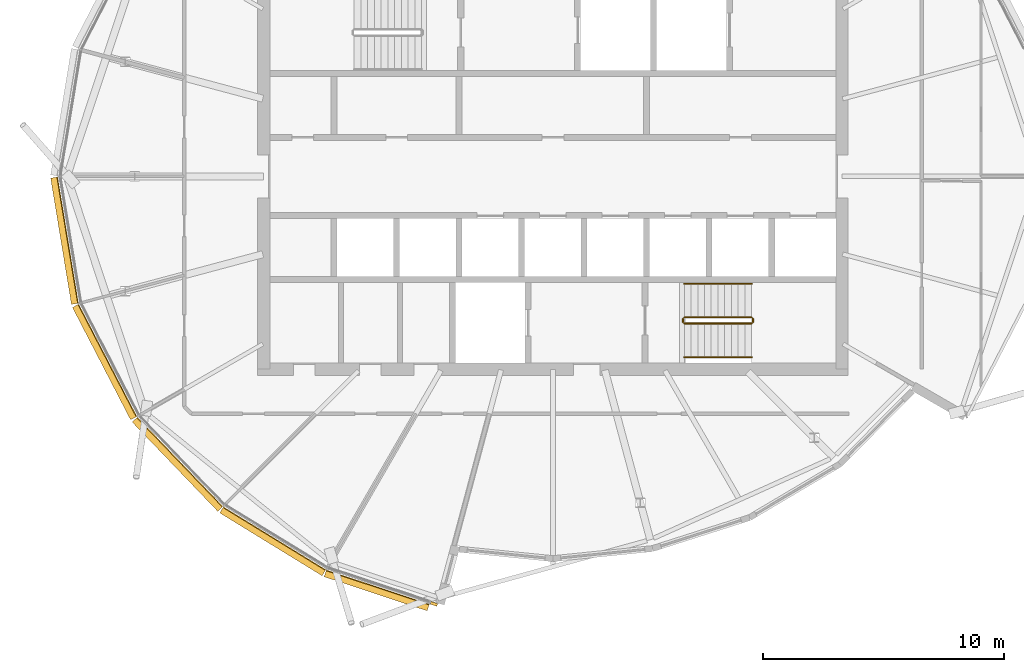
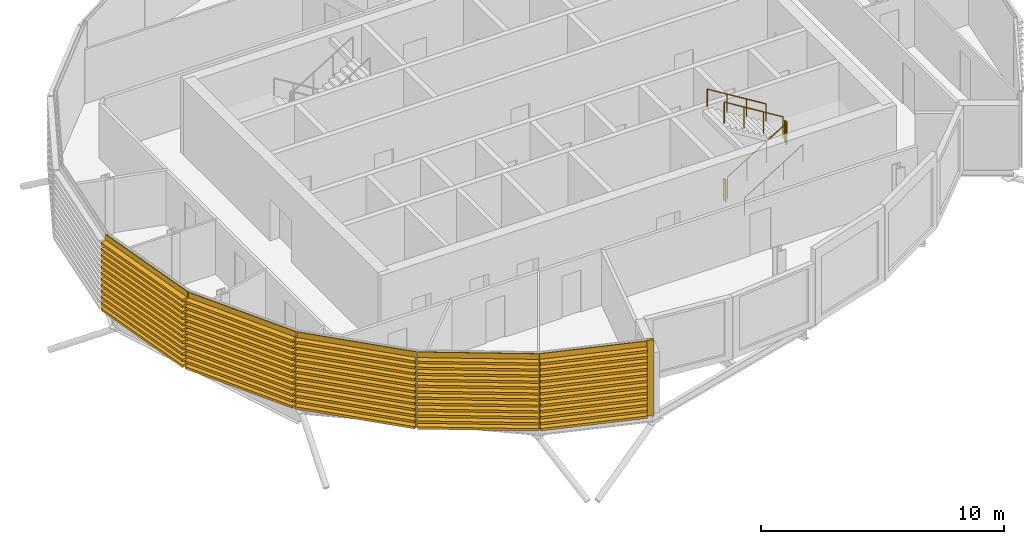
# One storey, part 29 of 33: 6 coverings, 6 railings.
"""IFC4 building model written with IfcOpenShell, lengths in metres."""

import ifcopenshell
import ifcopenshell.guid

model = None  # the IFC model being written
_history = None  # IfcOwnerHistory: only IFC2X3 demands one
_inside = {}  # id of a spatial element -> (the spatial element, [elements in it])
_under = {}  # id of a project, library or spatial element -> (it, [spatial elements below it])
_declared = {}  # id of a project -> (the project, [libraries it declares])
_typed = {}  # id of a type object -> (the type object, [elements of that type])
_made_of = {}  # id of a material, layer set ... -> (it, [elements and type objects made of it])


def new_model(schema):
    """Start an empty IFC model of exactly this schema.

    Asked for "IFC4X3", IfcOpenShell would pick the latest addendum, in which some entities
    have other attributes; the version numbers below select the first issue.
    IFC2X3 requires an IfcOwnerHistory on every rooted entity: one is made here for all.
    """
    global model, _history
    if schema == "IFC4X3":
        model = ifcopenshell.file(schema_version=(4, 3, 0, 0))
    else:
        model = ifcopenshell.file(schema=schema)
    _inside.clear()
    _under.clear()
    _declared.clear()
    _typed.clear()
    _made_of.clear()
    _history = None
    if model.schema == "IFC2X3":
        org = make("IfcOrganization", Name="unknown")
        user = make(
            "IfcPersonAndOrganization",
            ThePerson=make("IfcPerson", FamilyName="unknown"),
            TheOrganization=org,
        )
        app = make(
            "IfcApplication",
            ApplicationDeveloper=org,
            Version="unknown",
            ApplicationFullName="unknown",
            ApplicationIdentifier="unknown",
        )
        _history = make(
            "IfcOwnerHistory",
            OwningUser=user,
            OwningApplication=app,
            ChangeAction="ADDED",
            CreationDate=0,
        )
    return model


def make(cls, **values):
    """One entity of the class cls with the attributes given. An attribute that is None is left unset."""
    return model.create_entity(
        cls, **{name: value for name, value in values.items() if value is not None}
    )


def rooted(cls, **values):
    """An entity with a GlobalId (a new one), such as an element, a storey or a relation."""
    return make(cls, GlobalId=ifcopenshell.guid.new(), OwnerHistory=_history, **values)


def si_unit(unit_type, name, prefix=None):
    """IfcSIUnit, for example si_unit("LENGTHUNIT", "METRE", prefix="MILLI")."""
    return make("IfcSIUnit", UnitType=unit_type, Prefix=prefix, Name=name)


def assignment(units):
    """IfcUnitAssignment: the units of a project."""
    return None if units is None else make("IfcUnitAssignment", Units=units)


def point(xyz):
    """IfcCartesianPoint."""
    return None if xyz is None else make("IfcCartesianPoint", Coordinates=xyz)


def direction(xyz):
    """IfcDirection."""
    return None if xyz is None else make("IfcDirection", DirectionRatios=xyz)


def frame(location, z_axis=None, x_axis=None):
    """IfcAxis2Placement3D, a coordinate frame: its origin and axes. An axis left out is left unset."""
    return make(
        "IfcAxis2Placement3D",
        Location=point(location),
        Axis=direction(z_axis),
        RefDirection=direction(x_axis),
    )


def frame_2d(location, x_axis=None):
    """IfcAxis2Placement2D, a coordinate frame in the plane: its origin and x axis."""
    return make(
        "IfcAxis2Placement2D", Location=point(location), RefDirection=direction(x_axis)
    )


def origin():
    """The frame at (0, 0, 0) with its axes left unset."""
    return frame((0.0, 0.0, 0.0))


def origin_2d():
    """The frame at (0, 0) in the plane with its x axis left unset."""
    return frame_2d((0.0, 0.0))


def place(relative_to, where):
    """IfcLocalPlacement: puts the frame where relative to a parent placement (None: the world)."""
    return make(
        "IfcLocalPlacement", PlacementRelTo=relative_to, RelativePlacement=where
    )


def context(
    kind, dimensions, precision=None, world=None, true_north=None, identifier=None
):
    """IfcGeometricRepresentationContext, for example the 3D "Model" context."""
    return make(
        "IfcGeometricRepresentationContext",
        ContextIdentifier=identifier,
        ContextType=kind,
        CoordinateSpaceDimension=dimensions,
        Precision=precision,
        WorldCoordinateSystem=world,
        TrueNorth=true_north,
    )


def subcontext(parent, identifier, kind, view, scale=None):
    """IfcGeometricRepresentationSubContext, for example "Body" below "Model"."""
    return make(
        "IfcGeometricRepresentationSubContext",
        ContextIdentifier=identifier,
        ContextType=kind,
        ParentContext=parent,
        TargetScale=scale,
        TargetView=view,
    )


def project(units=None, contexts=None):
    """IfcProject with its units and contexts."""
    return rooted(
        "IfcProject",
        Name="project",
        RepresentationContexts=contexts,
        UnitsInContext=assignment(units),
    )


def spatial(cls, under=None, at=None, **own):
    """A site, building, storey or space (cls), placed at a placement, below another one or the project."""
    s = rooted(cls, ObjectPlacement=at, **own)
    if under is not None:
        _under.setdefault(under.id(), (under, []))[1].append(s)
    return s


def polyline(points):
    """IfcPolyline through the points."""
    return make("IfcPolyline", Points=[point(p) for p in points])


def profile(cls, at=None, kind="AREA", **sizes):
    """A parametric profile (cls). Its sizes go by their IFC names, for example OverallWidth=200.0."""
    return make(cls, ProfileType=kind, Position=at, **sizes)


def circle(**sizes):
    """IfcCircleProfileDef."""
    return profile("IfcCircleProfileDef", **sizes)


def outline(outer, holes=None, kind="AREA"):
    """IfcArbitraryClosedProfileDef: a profile drawn as a closed curve; with holes, ...WithVoids."""
    if holes is None:
        return make("IfcArbitraryClosedProfileDef", ProfileType=kind, OuterCurve=outer)
    return make(
        "IfcArbitraryProfileDefWithVoids",
        ProfileType=kind,
        OuterCurve=outer,
        InnerCurves=holes,
    )


def extrude(swept, where, along, depth):
    """IfcExtrudedAreaSolid: the profile swept, set in the frame where, extruded along a direction by depth."""
    return make(
        "IfcExtrudedAreaSolid",
        SweptArea=swept,
        Position=where,
        ExtrudedDirection=direction(along),
        Depth=depth,
    )


def shape(context_of_items, identifier, shape_type, items):
    """IfcShapeRepresentation: the items that make up one representation, for example the "Body"."""
    return make(
        "IfcShapeRepresentation",
        ContextOfItems=context_of_items,
        RepresentationIdentifier=identifier,
        RepresentationType=shape_type,
        Items=items,
    )


def material(Name=None, Category=None):
    """IfcMaterial."""
    return make("IfcMaterial", Name=Name, Category=Category)


def layer(
    of_material, thickness, ventilated=None, Name=None, Category=None, Priority=None
):
    """IfcMaterialLayer: one layer of a wall or slab, of a material (None: an air gap)."""
    return make(
        "IfcMaterialLayer",
        Material=of_material,
        LayerThickness=thickness,
        IsVentilated=ventilated,
        Name=Name,
        Category=Category,
        Priority=Priority,
    )


def layer_set(layers, Name=None):
    """IfcMaterialLayerSet."""
    return make("IfcMaterialLayerSet", MaterialLayers=layers, LayerSetName=Name)


def material_profile(
    of_material, cross_section, Name=None, Category=None, Priority=None
):
    """IfcMaterialProfile: a cross section and its material."""
    return make(
        "IfcMaterialProfile",
        Name=Name,
        Material=of_material,
        Profile=cross_section,
        Priority=Priority,
        Category=Category,
    )


def profile_set(profiles, Name=None, composite=None):
    """IfcMaterialProfileSet."""
    return make(
        "IfcMaterialProfileSet",
        Name=Name,
        MaterialProfiles=profiles,
        CompositeProfile=composite,
    )


def made_of(thing, what):
    """Note that an element or type object is made of a material, layer set ...; save() writes the relation."""
    if what is not None:
        _made_of.setdefault(what.id(), (what, []))[1].append(thing)
    return thing


def type_object(cls, material=None, **own):
    """A type object (cls), such as IfcWallType, which elements share."""
    return made_of(rooted(cls, **own), material)


def element(
    cls,
    number,
    at=None,
    inside=None,
    cuts=None,
    type_object=None,
    material=None,
    context=None,
    identifier="Body",
    shape_type=None,
    held_by="IfcProductDefinitionShape",
    body=None,
    shapes=None,
    **own,
):
    """One element of the class cls, such as IfcWall. Its Tag is "e" and its number.

    at: its placement. inside: the storey or other place that contains it. cuts: it is an
    opening in that element (IfcRelVoidsElement). A single representation is given by context,
    identifier, shape_type and body (its items); several are given by shapes. held_by: the class
    of the entity that holds the representations. save() writes the other relations.
    """
    e = rooted(cls, Tag="e%d" % number, ObjectPlacement=at, **own)
    if body is not None:
        shapes = [shape(context, identifier, shape_type, body)]
    if shapes is not None:
        e.Representation = make(held_by, Representations=shapes)
    if inside is not None:
        _inside.setdefault(inside.id(), (inside, []))[1].append(e)
    if cuts is not None:
        rooted(
            "IfcRelVoidsElement", RelatingBuildingElement=cuts, RelatedOpeningElement=e
        )
    if type_object is not None:
        _typed.setdefault(type_object.id(), (type_object, []))[1].append(e)
    return made_of(e, material)


def aggregate(whole, parts):
    """IfcRelAggregates: a whole, such as a stair, and the parts it consists of."""
    return rooted("IfcRelAggregates", RelatingObject=whole, RelatedObjects=parts)


def save(model, path):
    """Write the relations noted so far, then the file.

    IfcRelAggregates (storeys below a building ...), IfcRelContainedInSpatialStructure (elements
    in a storey), IfcRelDefinesByType, IfcRelAssociatesMaterial and IfcRelDeclares: one each for
    every whole, place, type object, material and project.
    """
    for whole, parts in _under.values():
        aggregate(whole, parts)
    for where, things in _inside.values():
        rooted(
            "IfcRelContainedInSpatialStructure",
            RelatedElements=things,
            RelatingStructure=where,
        )
    for kind, things in _typed.values():
        rooted("IfcRelDefinesByType", RelatedObjects=things, RelatingType=kind)
    for what, things in _made_of.values():
        rooted("IfcRelAssociatesMaterial", RelatedObjects=things, RelatingMaterial=what)
    for by, libraries in _declared.values():
        rooted("IfcRelDeclares", RelatingContext=by, RelatedDefinitions=libraries)
    model.write(path)


model = new_model("IFC4")

# Units and contexts
model_context = context("Model", 3, precision=1e-05, world=origin(), true_north=direction((0.0, 1.0)))
body_context = subcontext(model_context, "Body", "Model", "MODEL_VIEW")
ifc_project = project(units=[si_unit("LENGTHUNIT", "METRE"), si_unit("AREAUNIT", "SQUARE_METRE"), si_unit("VOLUMEUNIT", "CUBIC_METRE"), si_unit("PLANEANGLEUNIT", "RADIAN"), si_unit("MASSUNIT", "GRAM", prefix="KILO")], contexts=[model_context])

# Site, building, storey
site_placement = place(None, origin())
site = spatial("IfcSite", under=ifc_project, at=site_placement, CompositionType="ELEMENT")
building_placement = place(site_placement, origin())
building = spatial("IfcBuilding", under=site, at=building_placement, Name="Rimbun Link Towers", CompositionType="ELEMENT")
storey_placement = place(building_placement, frame((0.0, 0.0, 240.89990234375)))
storey = spatial("IfcBuildingStorey", under=building, at=storey_placement, Name="L59", CompositionType="ELEMENT", Elevation=240.89990234375)

# Covering
ifc_material_1 = material(Name="Terracotta", Category="masonry")
ifc_layer = layer(ifc_material_1, 0.1201171875)
ifc_layer_set = layer_set([ifc_layer], Name="LINK PIER terracotta cladding 120")
covering_type_1 = type_object("IfcCoveringType", Name="LINK PIER terracotta cladding 120", PredefinedType="CLADDING", material=ifc_layer_set)
covering_1_placement = place(storey_placement, origin())
element("IfcCovering", 1, at=covering_1_placement, inside=storey, type_object=covering_type_1, Name="LINK PIER cladding", PredefinedType="CLADDING", context=body_context, shape_type="SweptSolid", body=[
    extrude(outline(polyline([(-36.53076171875, -17.726806640625), (-36.80615234375, -17.6357421875), (-36.843994140625, -17.74951171875), (-36.568603515625, -17.8408203125), (-36.53076171875, -17.726806640625)])), origin(), (0.0, 0.0, 1.0), 3.800048828125),
])

# Railings
ifc_material_2 = material(Name="Stainless steel grade 316", Category="steel")
railing_type_1 = type_object("IfcRailingType", Name="Stair guard", PredefinedType="GUARDRAIL", material=ifc_material_2)
railing_1_placement = place(storey_placement, frame((-26.300048828125, -6.10009765625, 0.1728515625)))
element("IfcRailing", 2, at=railing_1_placement, inside=storey, type_object=railing_type_1, Name="L59 ST2 stair guard 1", PredefinedType="GUARDRAIL", context=body_context, shape_type="SweptSolid", body=[
    extrude(circle(Radius=0.02392578125, at=origin_2d()), frame((0.0, 0.0, 1.076171875), z_axis=(0.851089632645, 0.0, 0.525020415988), x_axis=(0.0, 1.0, 0.0)), (0.0, 0.0, 1.0), 3.2900390625),
    extrude(circle(Radius=0.02099609375, at=origin_2d()), origin(), (0.0, 0.0, 1.0), 1.052001953125),
    extrude(circle(Radius=0.02099609375, at=origin_2d()), frame((0.933349609375, 0.0, 0.57568359375)), (0.0, 0.0, 1.0), 1.052001953125),
    extrude(circle(Radius=0.02099609375, at=origin_2d()), frame((1.86669921875, 0.0, 1.151611328125)), (0.0, 0.0, 1.0), 1.052001953125),
    extrude(circle(Radius=0.02099609375, at=origin_2d()), frame((2.800048828125, 0.0, 1.727294921875)), (0.0, 0.0, 1.0), 1.052001953125),
])
railing_2_placement = place(storey_placement, frame((-23.449951171875, -6.050048828125, 1.900146484375)))
element("IfcRailing", 3, at=railing_2_placement, inside=storey, type_object=railing_type_1, Name="L59 ST2 stair guard 2", PredefinedType="GUARDRAIL", context=body_context, shape_type="SweptSolid", body=[
    extrude(circle(Radius=0.02392578125, at=origin_2d()), frame((0.0, 0.0, 1.076171875), z_axis=(0.0, 1.0, 0.0), x_axis=(-1.0, 0.0, 0.0)), (0.0, 0.0, 1.0), 0.150146484375),
    extrude(circle(Radius=0.02099609375, at=origin_2d()), origin(), (0.0, 0.0, 1.0), 1.052001953125),
    extrude(circle(Radius=0.02099609375, at=origin_2d()), frame((0.0, 0.150146484375, 0.0)), (0.0, 0.0, 1.0), 1.052001953125),
])
railing_3_placement = place(storey_placement, frame((-23.5, -5.85009765625, 2.07275390625)))
element("IfcRailing", 4, at=railing_3_placement, inside=storey, type_object=railing_type_1, Name="L59 ST2 stair guard 3", PredefinedType="GUARDRAIL", context=body_context, shape_type="SweptSolid", body=[
    extrude(circle(Radius=0.02392578125, at=origin_2d()), frame((0.0, 0.0, 1.076171875), z_axis=(-0.851089632645, 0.0, 0.525020415988), x_axis=(0.0, -1.0, 0.0)), (0.0, 0.0, 1.0), 3.2900390625),
    extrude(circle(Radius=0.02099609375, at=origin_2d()), origin(), (0.0, 0.0, 1.0), 1.052001953125),
    extrude(circle(Radius=0.02099609375, at=origin_2d()), frame((-0.933349609375, 0.0, 0.57568359375)), (0.0, 0.0, 1.0), 1.052001953125),
    extrude(circle(Radius=0.02099609375, at=origin_2d()), frame((-1.86669921875, 0.0, 1.151611328125)), (0.0, 0.0, 1.0), 1.052001953125),
    extrude(circle(Radius=0.02099609375, at=origin_2d()), frame((-2.800048828125, 0.0, 1.727294921875)), (0.0, 0.0, 1.0), 1.052001953125),
])
railing_4_placement = place(storey_placement, frame((-26.35009765625, -6.050048828125, 0.0)))
element("IfcRailing", 5, at=railing_4_placement, inside=storey, type_object=railing_type_1, Name="L59 ST2 stair guard 4", PredefinedType="GUARDRAIL", context=body_context, shape_type="SweptSolid", body=[
    extrude(circle(Radius=0.02392578125, at=origin_2d()), frame((0.0, 0.0, 1.076171875), z_axis=(0.0, 1.0, 0.0), x_axis=(-1.0, 0.0, 0.0)), (0.0, 0.0, 1.0), 0.150146484375),
    extrude(circle(Radius=0.02099609375, at=origin_2d()), origin(), (0.0, 0.0, 1.0), 1.052001953125),
    extrude(circle(Radius=0.02099609375, at=origin_2d()), frame((0.0, 0.150146484375, 0.0)), (0.0, 0.0, 1.0), 1.052001953125),
])
ifc_material_3 = material(Name="Stainless steel grade 316", Category="steel")
railing_type_2 = type_object("IfcRailingType", Name="Stair handrail", PredefinedType="HANDRAIL", material=ifc_material_3)
railing_5_placement = place(storey_placement, frame((-26.300048828125, -7.5, 0.1728515625)))
element("IfcRailing", 6, at=railing_5_placement, inside=storey, type_object=railing_type_2, Name="L59 ST2 stair handrail 1", PredefinedType="HANDRAIL", context=body_context, shape_type="SweptSolid", body=[
    extrude(circle(Radius=0.02392578125, at=origin_2d()), frame((0.0, 0.0, 0.8759765625), z_axis=(0.851089632645, 0.0, 0.525020415988), x_axis=(0.0, 1.0, 0.0)), (0.0, 0.0, 1.0), 3.2900390625),
    extrude(circle(Radius=0.02099609375, at=origin_2d()), origin(), (0.0, 0.0, 1.0), 0.851806640625),
    extrude(circle(Radius=0.02099609375, at=origin_2d()), frame((0.933349609375, 0.0, 0.57568359375)), (0.0, 0.0, 1.0), 0.851806640625),
    extrude(circle(Radius=0.02099609375, at=origin_2d()), frame((1.86669921875, 0.0, 1.151611328125)), (0.0, 0.0, 1.0), 0.851806640625),
    extrude(circle(Radius=0.02099609375, at=origin_2d()), frame((2.800048828125, 0.0, 1.727294921875)), (0.0, 0.0, 1.0), 0.851806640625),
])
railing_6_placement = place(storey_placement, frame((-23.5, -4.449951171875, 2.07275390625)))
element("IfcRailing", 7, at=railing_6_placement, inside=storey, type_object=railing_type_2, Name="L59 ST2 stair handrail 2", PredefinedType="HANDRAIL", context=body_context, shape_type="SweptSolid", body=[
    extrude(circle(Radius=0.02392578125, at=origin_2d()), frame((0.0, 0.0, 0.8759765625), z_axis=(-0.851089632645, 0.0, 0.525020415988), x_axis=(0.0, -1.0, 0.0)), (0.0, 0.0, 1.0), 3.2900390625),
    extrude(circle(Radius=0.02099609375, at=origin_2d()), origin(), (0.0, 0.0, 1.0), 0.851806640625),
    extrude(circle(Radius=0.02099609375, at=origin_2d()), frame((-0.933349609375, 0.0, 0.57568359375)), (0.0, 0.0, 1.0), 0.851806640625),
    extrude(circle(Radius=0.02099609375, at=origin_2d()), frame((-1.86669921875, 0.0, 1.151611328125)), (0.0, 0.0, 1.0), 0.851806640625),
    extrude(circle(Radius=0.02099609375, at=origin_2d()), frame((-2.800048828125, 0.0, 1.727294921875)), (0.0, 0.0, 1.0), 0.851806640625),
])

# Coverings
ifc_material_4 = material(Name="Terracotta", Category="masonry")
ifc_material_profile = material_profile(ifc_material_4, outline(polyline([(0.123046875, 0.0), (0.1630859375, 0.0), (0.1630859375, 0.10009765625), (0.423095703125, 0.10009765625), (0.423095703125, 0.219970703125), (0.1630859375, 0.219970703125), (0.1630859375, 0.39990234375), (0.423095703125, 0.39990234375), (0.423095703125, 0.52001953125), (0.1630859375, 0.52001953125), (0.1630859375, 0.699951171875), (0.423095703125, 0.699951171875), (0.423095703125, 0.820068359375), (0.1630859375, 0.820068359375), (0.1630859375, 1.0), (0.423095703125, 1.0), (0.423095703125, 1.1201171875), (0.1630859375, 1.1201171875), (0.1630859375, 1.300048828125), (0.423095703125, 1.300048828125), (0.423095703125, 1.419921875), (0.1630859375, 1.419921875), (0.1630859375, 1.60009765625), (0.423095703125, 1.60009765625), (0.423095703125, 1.719970703125), (0.1630859375, 1.719970703125), (0.1630859375, 1.89990234375), (0.423095703125, 1.89990234375), (0.423095703125, 2.02001953125), (0.1630859375, 2.02001953125), (0.1630859375, 2.199951171875), (0.423095703125, 2.199951171875), (0.423095703125, 2.320068359375), (0.1630859375, 2.320068359375), (0.1630859375, 2.5), (0.423095703125, 2.5), (0.423095703125, 2.6201171875), (0.1630859375, 2.6201171875), (0.1630859375, 2.800048828125), (0.423095703125, 2.800048828125), (0.423095703125, 2.919921875), (0.1630859375, 2.919921875), (0.1630859375, 3.10009765625), (0.423095703125, 3.10009765625), (0.423095703125, 3.219970703125), (0.1630859375, 3.219970703125), (0.1630859375, 3.39990234375), (0.423095703125, 3.39990234375), (0.423095703125, 3.52001953125), (0.1630859375, 3.52001953125), (0.1630859375, 3.800048828125), (0.123046875, 3.800048828125), (0.123046875, 0.0)])), Name="BAGUETTE 120X300")
ifc_profile_set = profile_set([ifc_material_profile], Name="Terracotta")
covering_type_2 = type_object("IfcCoveringType", Name="TERRACOTTA BAGUETTE 120X300 H3800", PredefinedType="CLADDING", material=ifc_profile_set)
covering_2_placement = place(storey_placement, frame((-51.313232421875, -5.241943359375, 0.0), z_axis=(-0.162274641327, 0.986745631246, 0.0), x_axis=(-0.986745631246, -0.162274641327, 0.0)))
element("IfcCovering", 8, at=covering_2_placement, inside=storey, type_object=covering_type_2, Name="TERRACOTTA BAGUETTE", PredefinedType="CLADDING", context=body_context, shape_type="SweptSolid", body=[
    extrude(outline(polyline([(0.123046875, 0.0), (0.1630859375, 0.0), (0.1630859375, 0.10009765625), (0.423095703125, 0.10009765625), (0.423095703125, 0.219970703125), (0.1630859375, 0.219970703125), (0.1630859375, 0.39990234375), (0.423095703125, 0.39990234375), (0.423095703125, 0.52001953125), (0.1630859375, 0.52001953125), (0.1630859375, 0.699951171875), (0.423095703125, 0.699951171875), (0.423095703125, 0.820068359375), (0.1630859375, 0.820068359375), (0.1630859375, 1.0), (0.423095703125, 1.0), (0.423095703125, 1.1201171875), (0.1630859375, 1.1201171875), (0.1630859375, 1.300048828125), (0.423095703125, 1.300048828125), (0.423095703125, 1.419921875), (0.1630859375, 1.419921875), (0.1630859375, 1.60009765625), (0.423095703125, 1.60009765625), (0.423095703125, 1.719970703125), (0.1630859375, 1.719970703125), (0.1630859375, 1.89990234375), (0.423095703125, 1.89990234375), (0.423095703125, 2.02001953125), (0.1630859375, 2.02001953125), (0.1630859375, 2.199951171875), (0.423095703125, 2.199951171875), (0.423095703125, 2.320068359375), (0.1630859375, 2.320068359375), (0.1630859375, 2.5), (0.423095703125, 2.5), (0.423095703125, 2.6201171875), (0.1630859375, 2.6201171875), (0.1630859375, 2.800048828125), (0.423095703125, 2.800048828125), (0.423095703125, 2.919921875), (0.1630859375, 2.919921875), (0.1630859375, 3.10009765625), (0.423095703125, 3.10009765625), (0.423095703125, 3.219970703125), (0.1630859375, 3.219970703125), (0.1630859375, 3.39990234375), (0.423095703125, 3.39990234375), (0.423095703125, 3.52001953125), (0.1630859375, 3.52001953125), (0.1630859375, 3.800048828125), (0.123046875, 3.800048828125), (0.123046875, 0.0)])), origin(), (0.0, 0.0, 1.0), 5.312255859375),
])
covering_3_placement = place(storey_placement, frame((-48.901611328125, -9.902587890625, 0.0), z_axis=(-0.459564667383, 0.888144310624, 0.0), x_axis=(-0.888144310624, -0.459564667383, 0.0)))
element("IfcCovering", 9, at=covering_3_placement, inside=storey, type_object=covering_type_2, Name="TERRACOTTA BAGUETTE", PredefinedType="CLADDING", context=body_context, shape_type="SweptSolid", body=[
    extrude(outline(polyline([(0.123046875, 0.0), (0.1630859375, 0.0), (0.1630859375, 0.10009765625), (0.423095703125, 0.10009765625), (0.423095703125, 0.219970703125), (0.1630859375, 0.219970703125), (0.1630859375, 0.39990234375), (0.423095703125, 0.39990234375), (0.423095703125, 0.52001953125), (0.1630859375, 0.52001953125), (0.1630859375, 0.699951171875), (0.423095703125, 0.699951171875), (0.423095703125, 0.820068359375), (0.1630859375, 0.820068359375), (0.1630859375, 1.0), (0.423095703125, 1.0), (0.423095703125, 1.1201171875), (0.1630859375, 1.1201171875), (0.1630859375, 1.300048828125), (0.423095703125, 1.300048828125), (0.423095703125, 1.419921875), (0.1630859375, 1.419921875), (0.1630859375, 1.60009765625), (0.423095703125, 1.60009765625), (0.423095703125, 1.719970703125), (0.1630859375, 1.719970703125), (0.1630859375, 1.89990234375), (0.423095703125, 1.89990234375), (0.423095703125, 2.02001953125), (0.1630859375, 2.02001953125), (0.1630859375, 2.199951171875), (0.423095703125, 2.199951171875), (0.423095703125, 2.320068359375), (0.1630859375, 2.320068359375), (0.1630859375, 2.5), (0.423095703125, 2.5), (0.423095703125, 2.6201171875), (0.1630859375, 2.6201171875), (0.1630859375, 2.800048828125), (0.423095703125, 2.800048828125), (0.423095703125, 2.919921875), (0.1630859375, 2.919921875), (0.1630859375, 3.10009765625), (0.423095703125, 3.10009765625), (0.423095703125, 3.219970703125), (0.1630859375, 3.219970703125), (0.1630859375, 3.39990234375), (0.423095703125, 3.39990234375), (0.423095703125, 3.52001953125), (0.1630859375, 3.52001953125), (0.1630859375, 3.800048828125), (0.123046875, 3.800048828125), (0.123046875, 0.0)])), origin(), (0.0, 0.0, 1.0), 5.24755859375),
])
covering_4_placement = place(storey_placement, frame((-45.353515625, -13.603515625, 0.0), z_axis=(-0.692044974845, 0.721854384757, 0.0), x_axis=(-0.721854384757, -0.692044974845, 0.0)))
element("IfcCovering", 10, at=covering_4_placement, inside=storey, type_object=covering_type_2, Name="TERRACOTTA BAGUETTE", PredefinedType="CLADDING", context=body_context, shape_type="SweptSolid", body=[
    extrude(outline(polyline([(0.123046875, 0.0), (0.1630859375, 0.0), (0.1630859375, 0.10009765625), (0.423095703125, 0.10009765625), (0.423095703125, 0.219970703125), (0.1630859375, 0.219970703125), (0.1630859375, 0.39990234375), (0.423095703125, 0.39990234375), (0.423095703125, 0.52001953125), (0.1630859375, 0.52001953125), (0.1630859375, 0.699951171875), (0.423095703125, 0.699951171875), (0.423095703125, 0.820068359375), (0.1630859375, 0.820068359375), (0.1630859375, 1.0), (0.423095703125, 1.0), (0.423095703125, 1.1201171875), (0.1630859375, 1.1201171875), (0.1630859375, 1.300048828125), (0.423095703125, 1.300048828125), (0.423095703125, 1.419921875), (0.1630859375, 1.419921875), (0.1630859375, 1.60009765625), (0.423095703125, 1.60009765625), (0.423095703125, 1.719970703125), (0.1630859375, 1.719970703125), (0.1630859375, 1.89990234375), (0.423095703125, 1.89990234375), (0.423095703125, 2.02001953125), (0.1630859375, 2.02001953125), (0.1630859375, 2.199951171875), (0.423095703125, 2.199951171875), (0.423095703125, 2.320068359375), (0.1630859375, 2.320068359375), (0.1630859375, 2.5), (0.423095703125, 2.5), (0.423095703125, 2.6201171875), (0.1630859375, 2.6201171875), (0.1630859375, 2.800048828125), (0.423095703125, 2.800048828125), (0.423095703125, 2.919921875), (0.1630859375, 2.919921875), (0.1630859375, 3.10009765625), (0.423095703125, 3.10009765625), (0.423095703125, 3.219970703125), (0.1630859375, 3.219970703125), (0.1630859375, 3.39990234375), (0.423095703125, 3.39990234375), (0.423095703125, 3.52001953125), (0.1630859375, 3.52001953125), (0.1630859375, 3.800048828125), (0.123046875, 3.800048828125), (0.123046875, 0.0)])), origin(), (0.0, 0.0, 1.0), 5.126953125),
])
covering_5_placement = place(storey_placement, frame((-41.108642578125, -16.209716796875, 0.0), z_axis=(-0.852198064813, 0.52321932144, 0.0), x_axis=(-0.52321932144, -0.852198064813, 0.0)))
element("IfcCovering", 11, at=covering_5_placement, inside=storey, type_object=covering_type_2, Name="TERRACOTTA BAGUETTE", PredefinedType="CLADDING", context=body_context, shape_type="SweptSolid", body=[
    extrude(outline(polyline([(0.123046875, 0.0), (0.1630859375, 0.0), (0.1630859375, 0.10009765625), (0.423095703125, 0.10009765625), (0.423095703125, 0.219970703125), (0.1630859375, 0.219970703125), (0.1630859375, 0.39990234375), (0.423095703125, 0.39990234375), (0.423095703125, 0.52001953125), (0.1630859375, 0.52001953125), (0.1630859375, 0.699951171875), (0.423095703125, 0.699951171875), (0.423095703125, 0.820068359375), (0.1630859375, 0.820068359375), (0.1630859375, 1.0), (0.423095703125, 1.0), (0.423095703125, 1.1201171875), (0.1630859375, 1.1201171875), (0.1630859375, 1.300048828125), (0.423095703125, 1.300048828125), (0.423095703125, 1.419921875), (0.1630859375, 1.419921875), (0.1630859375, 1.60009765625), (0.423095703125, 1.60009765625), (0.423095703125, 1.719970703125), (0.1630859375, 1.719970703125), (0.1630859375, 1.89990234375), (0.423095703125, 1.89990234375), (0.423095703125, 2.02001953125), (0.1630859375, 2.02001953125), (0.1630859375, 2.199951171875), (0.423095703125, 2.199951171875), (0.423095703125, 2.320068359375), (0.1630859375, 2.320068359375), (0.1630859375, 2.5), (0.423095703125, 2.5), (0.423095703125, 2.6201171875), (0.1630859375, 2.6201171875), (0.1630859375, 2.800048828125), (0.423095703125, 2.800048828125), (0.423095703125, 2.919921875), (0.1630859375, 2.919921875), (0.1630859375, 3.10009765625), (0.423095703125, 3.10009765625), (0.423095703125, 3.219970703125), (0.1630859375, 3.219970703125), (0.1630859375, 3.39990234375), (0.423095703125, 3.39990234375), (0.423095703125, 3.52001953125), (0.1630859375, 3.52001953125), (0.1630859375, 3.800048828125), (0.123046875, 3.800048828125), (0.123046875, 0.0)])), origin(), (0.0, 0.0, 1.0), 4.981201171875),
])
covering_6_placement = place(storey_placement, frame((-36.834716796875, -17.626220703125, 0.0), z_axis=(-0.949224131315, 0.314600617496, 0.0), x_axis=(-0.314600617496, -0.949224131315, 0.0)))
element("IfcCovering", 12, at=covering_6_placement, inside=storey, type_object=covering_type_2, Name="TERRACOTTA BAGUETTE", PredefinedType="CLADDING", context=body_context, shape_type="SweptSolid", body=[
    extrude(outline(polyline([(0.123046875, 0.0), (0.1630859375, 0.0), (0.1630859375, 0.10009765625), (0.423095703125, 0.10009765625), (0.423095703125, 0.219970703125), (0.1630859375, 0.219970703125), (0.1630859375, 0.39990234375), (0.423095703125, 0.39990234375), (0.423095703125, 0.52001953125), (0.1630859375, 0.52001953125), (0.1630859375, 0.699951171875), (0.423095703125, 0.699951171875), (0.423095703125, 0.820068359375), (0.1630859375, 0.820068359375), (0.1630859375, 1.0), (0.423095703125, 1.0), (0.423095703125, 1.1201171875), (0.1630859375, 1.1201171875), (0.1630859375, 1.300048828125), (0.423095703125, 1.300048828125), (0.423095703125, 1.419921875), (0.1630859375, 1.419921875), (0.1630859375, 1.60009765625), (0.423095703125, 1.60009765625), (0.423095703125, 1.719970703125), (0.1630859375, 1.719970703125), (0.1630859375, 1.89990234375), (0.423095703125, 1.89990234375), (0.423095703125, 2.02001953125), (0.1630859375, 2.02001953125), (0.1630859375, 2.199951171875), (0.423095703125, 2.199951171875), (0.423095703125, 2.320068359375), (0.1630859375, 2.320068359375), (0.1630859375, 2.5), (0.423095703125, 2.5), (0.423095703125, 2.6201171875), (0.1630859375, 2.6201171875), (0.1630859375, 2.800048828125), (0.423095703125, 2.800048828125), (0.423095703125, 2.919921875), (0.1630859375, 2.919921875), (0.1630859375, 3.10009765625), (0.423095703125, 3.10009765625), (0.423095703125, 3.219970703125), (0.1630859375, 3.219970703125), (0.1630859375, 3.39990234375), (0.423095703125, 3.39990234375), (0.423095703125, 3.52001953125), (0.1630859375, 3.52001953125), (0.1630859375, 3.800048828125), (0.123046875, 3.800048828125), (0.123046875, 0.0)])), origin(), (0.0, 0.0, 1.0), 4.50244140625),
])

save(model, "model.ifc")
